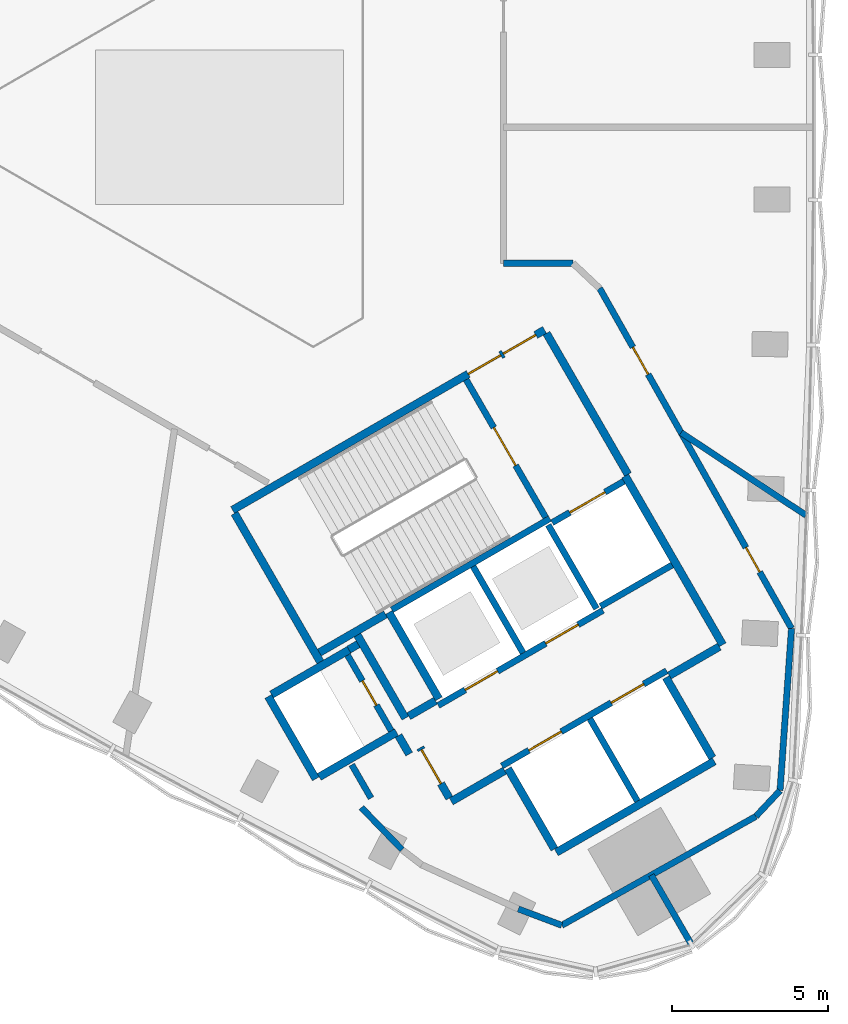
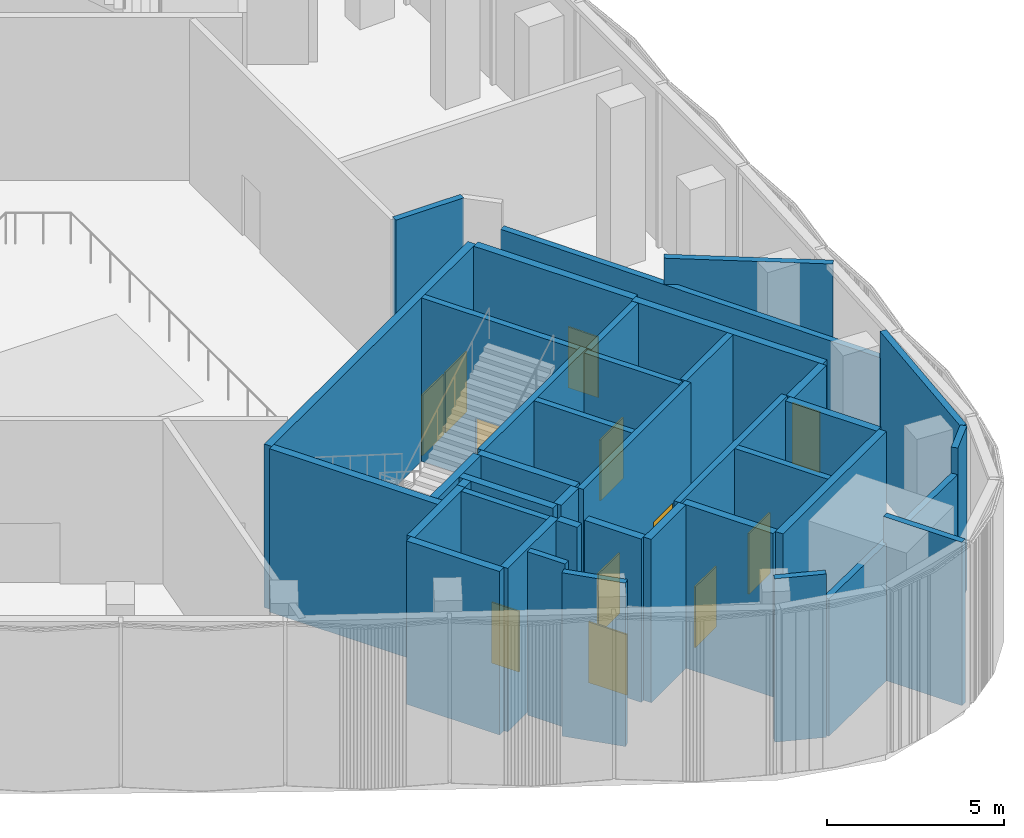
# One storey, part 6 of 14: 39 walls, 12 doors, 12 openings.
"""IFC4 building model written with IfcOpenShell, lengths in metres."""

from ifc_helpers import new_model, si_unit, direction, frame, frame_2d, origin, place, context, subcontext, project, spatial, rectangle, extrude, material, layer, layer_set, type_object, element, fill, save


model = new_model("IFC4")

# Units and contexts
model_context = context("Model", 3, precision=1e-05, world=origin(), true_north=direction((0.0, 1.0)))
body_context = subcontext(model_context, "Body", "Model", "MODEL_VIEW")
ifc_project = project(units=[si_unit("LENGTHUNIT", "METRE"), si_unit("AREAUNIT", "SQUARE_METRE"), si_unit("VOLUMEUNIT", "CUBIC_METRE"), si_unit("PLANEANGLEUNIT", "RADIAN"), si_unit("MASSUNIT", "GRAM", prefix="KILO")], contexts=[model_context])

# Site, building, storey
site_placement = place(None, origin())
site = spatial("IfcSite", under=ifc_project, at=site_placement, CompositionType="ELEMENT")
building_placement = place(site_placement, origin())
building = spatial("IfcBuilding", under=site, at=building_placement, Name="Tamra Quay Hotel Tower", CompositionType="ELEMENT")
storey_placement = place(building_placement, frame((0.0, 0.0, 169.60009765625)))
storey = spatial("IfcBuildingStorey", under=building, at=storey_placement, Name="L42", CompositionType="ELEMENT", Elevation=169.60009765625)

# Wall, openings, doors
ifc_material_1 = material(Name="Concrete M70", Category="concrete")
ifc_layer_1 = layer(ifc_material_1, 0.199951171875)
ifc_layer_set_1 = layer_set([ifc_layer_1], Name="Concrete M70 core wall 200")
wall_type_1 = type_object("IfcWallType", Name="Concrete M70 core wall 200", PredefinedType="SHEAR", material=ifc_layer_set_1)
wall_1_placement = place(storey_placement, frame((9.052490234375, -20.479736328125, 0.0), z_axis=(0.0, 0.0, 1.0), x_axis=(0.866030299012, 0.499991521122, 0.0)))
wall_1 = element("IfcWall", 1, at=wall_1_placement, inside=storey, type_object=wall_type_1, Name="CW2", PredefinedType="SHEAR", context=body_context, shape_type="SweptSolid", body=[
    extrude(rectangle(XDim=6.10009765625, YDim=0.199951171875, at=frame_2d((3.050048828125, 0.0))), origin(), (0.0, 0.0, 1.0), 5.64990234375),
])
opening_1_placement = place(wall_1_placement, frame((1.0, 0.0, 0.0)))
opening_1 = element("IfcOpeningElement", 2, at=opening_1_placement, cuts=wall_1, Name="Opening LD", PredefinedType="OPENING", context=body_context, shape_type="SweptSolid", body=[
    extrude(rectangle(XDim=1.199951171875, YDim=2.10009765625, at=frame_2d((0.60009765625, 1.050048828125))), frame((0.0, 0.10986328125, 0.0), z_axis=(0.0, -1.0, 0.0), x_axis=(1.0, 0.0, 0.0)), (0.0, 0.0, 1.0), 0.219970703125),
])
opening_2_placement = place(wall_1_placement, frame((4.05029296875, 0.0, 0.0)))
opening_2 = element("IfcOpeningElement", 3, at=opening_2_placement, cuts=wall_1, Name="Opening LD", PredefinedType="OPENING", context=body_context, shape_type="SweptSolid", body=[
    extrude(rectangle(XDim=1.199951171875, YDim=2.10009765625, at=frame_2d((0.60009765625, 1.050048828125))), frame((0.0, 0.10986328125, 0.0), z_axis=(0.0, -1.0, 0.0), x_axis=(1.0, 0.0, 0.0)), (0.0, 0.0, 1.0), 0.219970703125),
])
ifc_material_2 = material(Name="Landing door LD 1200 double door sliding")
door_type_1 = type_object("IfcDoorType", Name="Landing door LD 1200 double door sliding", OperationType="DOUBLE_DOOR_SLIDING", PredefinedType="DOOR", material=ifc_material_2)
door_1_placement = place(opening_1_placement, origin())
door_1 = element("IfcDoor", 4, at=door_1_placement, inside=storey, type_object=door_type_1, Name="LD", OperationType="DOUBLE_DOOR_SLIDING", OverallHeight=2.10009765625, OverallWidth=1.199951171875, PredefinedType="DOOR", context=body_context, shape_type="SweptSolid", body=[
    extrude(rectangle(XDim=1.199951171875, YDim=2.10009765625, at=frame_2d((0.60009765625, 1.050048828125))), frame((0.0, 0.02490234375, 0.0), z_axis=(0.0, -1.0, 0.0), x_axis=(1.0, 0.0, 0.0)), (0.0, 0.0, 1.0), 0.050048828125),
])
fill(opening_1, door_1)
door_2_placement = place(opening_2_placement, origin())
door_2 = element("IfcDoor", 5, at=door_2_placement, inside=storey, type_object=door_type_1, Name="LD", OperationType="DOUBLE_DOOR_SLIDING", OverallHeight=2.10009765625, OverallWidth=1.199951171875, PredefinedType="DOOR", context=body_context, shape_type="SweptSolid", body=[
    extrude(rectangle(XDim=1.199951171875, YDim=2.10009765625, at=frame_2d((0.60009765625, 1.050048828125))), frame((0.0, 0.02490234375, 0.0), z_axis=(0.0, -1.0, 0.0), x_axis=(1.0, 0.0, 0.0)), (0.0, 0.0, 1.0), 0.050048828125),
])
fill(opening_2, door_2)

# Wall
wall_2_placement = place(storey_placement, frame((5.525634765625, -15.47216796875, 0.0), z_axis=(0.0, 0.0, 1.0), x_axis=(0.866041752167, 0.499971682701, 0.0)))
element("IfcWall", 6, at=wall_2_placement, inside=storey, type_object=wall_type_1, Name="CW2", PredefinedType="SHEAR", context=body_context, shape_type="SweptSolid", body=[
    extrude(rectangle(XDim=5.850830078125, YDim=0.199951171875, at=frame_2d((2.92529296875, 0.0))), origin(), (0.0, 0.0, 1.0), 5.64990234375),
])

# Wall, openings, doors
wall_3_placement = place(storey_placement, frame((12.292724609375, -15.491455078125, 0.0), z_axis=(0.0, 0.0, 1.0), x_axis=(-0.866030299012, -0.499991521122, 0.0)))
wall_3 = element("IfcWall", 7, at=wall_3_placement, inside=storey, type_object=wall_type_1, Name="CW2", PredefinedType="SHEAR", context=body_context, shape_type="SweptSolid", body=[
    extrude(rectangle(XDim=6.10009765625, YDim=0.199951171875, at=frame_2d((3.050048828125, 0.0))), origin(), (0.0, 0.0, 1.0), 5.64990234375),
])
opening_3_placement = place(wall_3_placement, frame((3.900146484375, 0.0, 0.0)))
opening_3 = element("IfcOpeningElement", 8, at=opening_3_placement, cuts=wall_3, Name="Opening LD", PredefinedType="OPENING", context=body_context, shape_type="SweptSolid", body=[
    extrude(rectangle(XDim=1.199951171875, YDim=2.10009765625, at=frame_2d((0.60009765625, 1.050048828125))), frame((0.0, 0.10986328125, 0.0), z_axis=(0.0, -1.0, 0.0), x_axis=(1.0, 0.0, 0.0)), (0.0, 0.0, 1.0), 0.219970703125),
])
opening_4_placement = place(wall_3_placement, frame((0.918212890625, 0.0, 0.0)))
opening_4 = element("IfcOpeningElement", 9, at=opening_4_placement, cuts=wall_3, Name="Opening LD", PredefinedType="OPENING", context=body_context, shape_type="SweptSolid", body=[
    extrude(rectangle(XDim=1.199951171875, YDim=2.10009765625, at=frame_2d((0.60009765625, 1.050048828125))), frame((0.0, 0.10986328125, 0.0), z_axis=(0.0, -1.0, 0.0), x_axis=(1.0, 0.0, 0.0)), (0.0, 0.0, 1.0), 0.219970703125),
])
door_3_placement = place(opening_3_placement, origin())
door_3 = element("IfcDoor", 10, at=door_3_placement, inside=storey, type_object=door_type_1, Name="LD", OperationType="DOUBLE_DOOR_SLIDING", OverallHeight=2.10009765625, OverallWidth=1.199951171875, PredefinedType="DOOR", context=body_context, shape_type="SweptSolid", body=[
    extrude(rectangle(XDim=1.199951171875, YDim=2.10009765625, at=frame_2d((0.60009765625, 1.050048828125))), frame((0.0, 0.02490234375, 0.0), z_axis=(0.0, -1.0, 0.0), x_axis=(1.0, 0.0, 0.0)), (0.0, 0.0, 1.0), 0.050048828125),
])
fill(opening_3, door_3)
door_4_placement = place(opening_4_placement, origin())
door_4 = element("IfcDoor", 11, at=door_4_placement, inside=storey, type_object=door_type_1, Name="LD", OperationType="DOUBLE_DOOR_SLIDING", OverallHeight=2.10009765625, OverallWidth=1.199951171875, PredefinedType="DOOR", context=body_context, shape_type="SweptSolid", body=[
    extrude(rectangle(XDim=1.199951171875, YDim=2.10009765625, at=frame_2d((0.60009765625, 1.050048828125))), frame((0.0, 0.02490234375, 0.0), z_axis=(0.0, -1.0, 0.0), x_axis=(1.0, 0.0, 0.0)), (0.0, 0.0, 1.0), 0.050048828125),
])
fill(opening_4, door_4)

# Wall, opening, door
wall_4_placement = place(storey_placement, frame((7.906494140625, -8.094482421875, 0.0), z_axis=(0.0, 0.0, 1.0), x_axis=(0.500027839223, -0.866009330205, 0.0)))
wall_4 = element("IfcWall", 12, at=wall_4_placement, inside=storey, type_object=wall_type_1, Name="CW2", PredefinedType="SHEAR", context=body_context, shape_type="SweptSolid", body=[
    extrude(rectangle(XDim=5.097900390625, YDim=0.199951171875, at=frame_2d((2.548828125, 0.0))), origin(), (0.0, 0.0, 1.0), 5.64990234375),
])
opening_5_placement = place(wall_4_placement, frame((1.77392578125, 0.0, 0.0)))
opening_5 = element("IfcOpeningElement", 13, at=opening_5_placement, cuts=wall_4, Name="Opening FD2", PredefinedType="OPENING", context=body_context, shape_type="SweptSolid", body=[
    extrude(rectangle(XDim=1.39990234375, YDim=2.10009765625, at=frame_2d((0.699951171875, 1.050048828125))), frame((0.0, 0.10986328125, 0.0), z_axis=(0.0, -1.0, 0.0), x_axis=(1.0, 0.0, 0.0)), (0.0, 0.0, 1.0), 0.219970703125),
])
ifc_material_3 = material(Name="Core door FD2 1400x2100 RH")
door_type_2 = type_object("IfcDoorType", Name="Core door FD2 1400x2100 RH", OperationType="NOTDEFINED", PredefinedType="DOOR", material=ifc_material_3)
door_5_placement = place(opening_5_placement, origin())
door_5 = element("IfcDoor", 14, at=door_5_placement, inside=storey, type_object=door_type_2, Name="FD2", OperationType="SINGLE_SWING_RIGHT", OverallHeight=2.10009765625, OverallWidth=1.39990234375, PredefinedType="DOOR", context=body_context, shape_type="SweptSolid", body=[
    extrude(rectangle(XDim=1.39990234375, YDim=2.10009765625, at=frame_2d((0.699951171875, 1.050048828125))), frame((0.0, 0.02490234375, 0.0), z_axis=(0.0, -1.0, 0.0), x_axis=(1.0, 0.0, 0.0)), (0.0, 0.0, 1.0), 0.050048828125),
])
fill(opening_5, door_5)

# Walls
wall_5_placement = place(storey_placement, frame((8.131591796875, -14.084228515625, 0.0), z_axis=(0.0, 0.0, 1.0), x_axis=(0.499997778408, -0.866026686418, 0.0)))
element("IfcWall", 15, at=wall_5_placement, inside=storey, type_object=wall_type_1, Name="CW2", PredefinedType="SHEAR", context=body_context, shape_type="SweptSolid", body=[
    extrude(rectangle(XDim=3.1982421875, YDim=0.199951171875, at=frame_2d((1.59912109375, 0.0))), origin(), (0.0, 0.0, 1.0), 5.64990234375),
])
wall_6_placement = place(storey_placement, frame((11.87451171875, -18.967041015625, 0.0), z_axis=(0.0, 0.0, 1.0), x_axis=(0.49998131003, -0.866036194175, 0.0)))
element("IfcWall", 16, at=wall_6_placement, inside=storey, type_object=wall_type_1, Name="CW2", PredefinedType="SHEAR", context=body_context, shape_type="SweptSolid", body=[
    extrude(rectangle(XDim=3.0478515625, YDim=0.199951171875, at=frame_2d((1.52392578125, 0.0))), origin(), (0.0, 0.0, 1.0), 5.64990234375),
])

# Wall, opening, door
wall_7_placement = place(storey_placement, frame((5.50341796875, -19.352294921875, 0.0), z_axis=(0.0, 0.0, 1.0), x_axis=(-0.499986818241, 0.866033014143, 0.0)))
wall_7 = element("IfcWall", 17, at=wall_7_placement, inside=storey, type_object=wall_type_1, Name="CW2", PredefinedType="SHEAR", context=body_context, shape_type="SweptSolid", body=[
    extrude(rectangle(XDim=2.7978515625, YDim=0.199951171875, at=frame_2d((1.39892578125, 0.0))), origin(), (0.0, 0.0, 1.0), 5.64990234375),
])
opening_6_placement = place(wall_7_placement, frame((0.948974609375, 0.0, 0.0)))
opening_6 = element("IfcOpeningElement", 18, at=opening_6_placement, cuts=wall_7, Name="Opening D1", PredefinedType="OPENING", context=body_context, shape_type="SweptSolid", body=[
    extrude(rectangle(XDim=0.89990234375, YDim=2.10009765625, at=frame_2d((0.449951171875, 1.050048828125))), frame((0.0, 0.10986328125, 0.0), z_axis=(0.0, -1.0, 0.0), x_axis=(1.0, 0.0, 0.0)), (0.0, 0.0, 1.0), 0.219970703125),
])
ifc_material_4 = material(Name="Core door D1 900x2100 LH")
door_type_3 = type_object("IfcDoorType", Name="Core door D1 900x2100 LH", OperationType="NOTDEFINED", PredefinedType="DOOR", material=ifc_material_4)
door_6_placement = place(opening_6_placement, origin())
door_6 = element("IfcDoor", 19, at=door_6_placement, inside=storey, type_object=door_type_3, Name="D1", OperationType="SINGLE_SWING_LEFT", OverallHeight=2.10009765625, OverallWidth=0.89990234375, PredefinedType="DOOR", context=body_context, shape_type="SweptSolid", body=[
    extrude(rectangle(XDim=0.89990234375, YDim=2.10009765625, at=frame_2d((0.449951171875, 1.050048828125))), frame((0.0, 0.02490234375, 0.0), z_axis=(0.0, -1.0, 0.0), x_axis=(1.0, 0.0, 0.0)), (0.0, 0.0, 1.0), 0.050048828125),
])
fill(opening_6, door_6)

# Wall
wall_8_placement = place(storey_placement, frame((12.087646484375, -15.4365234375, 0.0), z_axis=(0.0, 0.0, 1.0), x_axis=(-0.500026960575, 0.86600983753, 0.0)))
element("IfcWall", 20, at=wall_8_placement, inside=storey, type_object=wall_type_1, Name="CW2", PredefinedType="SHEAR", context=body_context, shape_type="SweptSolid", body=[
    extrude(rectangle(XDim=3.099853515625, YDim=0.199951171875, at=frame_2d((1.5498046875, 0.0))), origin(), (0.0, 0.0, 1.0), 5.64990234375),
])

# Wall, opening, door
wall_9_placement = place(storey_placement, frame((10.666015625, -12.677734375, 0.0), z_axis=(0.0, 0.0, 1.0), x_axis=(0.866018407898, 0.500012117035, 0.0)))
wall_9 = element("IfcWall", 21, at=wall_9_placement, inside=storey, type_object=wall_type_1, Name="CW2", PredefinedType="SHEAR", context=body_context, shape_type="SweptSolid", body=[
    extrude(rectangle(XDim=2.65087890625, YDim=0.199951171875, at=frame_2d((1.325439453125, 0.0))), origin(), (0.0, 0.0, 1.0), 5.64990234375),
])
opening_7_placement = place(wall_9_placement, frame((0.65185546875, 0.0, 0.0)))
opening_7 = element("IfcOpeningElement", 22, at=opening_7_placement, cuts=wall_9, Name="Opening LD", PredefinedType="OPENING", context=body_context, shape_type="SweptSolid", body=[
    extrude(rectangle(XDim=1.300048828125, YDim=2.10009765625, at=frame_2d((0.64990234375, 1.050048828125))), frame((0.0, 0.10986328125, 0.0), z_axis=(0.0, -1.0, 0.0), x_axis=(1.0, 0.0, 0.0)), (0.0, 0.0, 1.0), 0.219970703125),
])
ifc_material_5 = material(Name="Landing door LD 1300 sliding to right")
door_type_4 = type_object("IfcDoorType", Name="Landing door LD 1300 sliding to right", OperationType="NOTDEFINED", PredefinedType="DOOR", material=ifc_material_5)
door_7_placement = place(opening_7_placement, origin())
door_7 = element("IfcDoor", 23, at=door_7_placement, inside=storey, type_object=door_type_4, Name="LD", OperationType="SLIDING_TO_RIGHT", OverallHeight=2.10009765625, OverallWidth=1.300048828125, PredefinedType="DOOR", context=body_context, shape_type="SweptSolid", body=[
    extrude(rectangle(XDim=1.300048828125, YDim=2.10009765625, at=frame_2d((0.64990234375, 1.050048828125))), frame((0.0, 0.02490234375, 0.0), z_axis=(0.0, -1.0, 0.0), x_axis=(1.0, 0.0, 0.0)), (0.0, 0.0, 1.0), 0.050048828125),
])
fill(opening_7, door_7)

# Wall
wall_10_placement = place(storey_placement, frame((14.51171875, -14.037109375, 0.0), z_axis=(0.0, 0.0, 1.0), x_axis=(-0.866018407898, -0.500012117035, 0.0)))
element("IfcWall", 24, at=wall_10_placement, inside=storey, type_object=wall_type_1, Name="CW2", PredefinedType="SHEAR", context=body_context, shape_type="SweptSolid", body=[
    extrude(rectangle(XDim=2.65087890625, YDim=0.199951171875, at=frame_2d((1.325439453125, 0.0))), origin(), (0.0, 0.0, 1.0), 5.64990234375),
])

# Wall, openings, doors
ifc_layer_2 = layer(ifc_material_1, 0.25)
ifc_layer_set_2 = layer_set([ifc_layer_2], Name="Concrete M70 core wall 250")
wall_type_2 = type_object("IfcWallType", Name="Concrete M70 core wall 250", PredefinedType="SHEAR", material=ifc_layer_set_2)
wall_11_placement = place(storey_placement, frame((0.417236328125, -12.27294921875, 0.0), z_axis=(0.0, 0.0, 1.0), x_axis=(0.866021906294, 0.500006057782, 0.0)))
wall_11 = element("IfcWall", 25, at=wall_11_placement, inside=storey, type_object=wall_type_2, Name="CW1", PredefinedType="SHEAR", context=body_context, shape_type="SweptSolid", body=[
    extrude(rectangle(XDim=11.550048828125, YDim=0.25, at=frame_2d((5.77490234375, 0.0))), origin(), (0.0, 0.0, 1.0), 5.64990234375),
])
opening_8_placement = place(wall_11_placement, frame((10.024658203125, 0.0, 0.0)))
opening_8 = element("IfcOpeningElement", 26, at=opening_8_placement, cuts=wall_11, Name="Opening FD1", PredefinedType="OPENING", context=body_context, shape_type="SweptSolid", body=[
    extrude(rectangle(XDim=1.199951171875, YDim=2.10009765625, at=frame_2d((0.60009765625, 1.050048828125))), frame((0.0, 0.135009765625, 0.0), z_axis=(0.0, -1.0, 0.0), x_axis=(1.0, 0.0, 0.0)), (0.0, 0.0, 1.0), 0.27001953125),
])
opening_9_placement = place(wall_11_placement, frame((8.724609375, 0.0, 0.0)))
opening_9 = element("IfcOpeningElement", 27, at=opening_9_placement, cuts=wall_11, Name="Opening FD1", PredefinedType="OPENING", context=body_context, shape_type="SweptSolid", body=[
    extrude(rectangle(XDim=1.199951171875, YDim=2.10009765625, at=frame_2d((0.60009765625, 1.050048828125))), frame((0.0, 0.135009765625, 0.0), z_axis=(0.0, -1.0, 0.0), x_axis=(1.0, 0.0, 0.0)), (0.0, 0.0, 1.0), 0.27001953125),
])
ifc_material_6 = material(Name="Core door FD1 1200x2100 LH")
door_type_5 = type_object("IfcDoorType", Name="Core door FD1 1200x2100 LH", OperationType="NOTDEFINED", PredefinedType="DOOR", material=ifc_material_6)
door_8_placement = place(opening_8_placement, origin())
door_8 = element("IfcDoor", 28, at=door_8_placement, inside=storey, type_object=door_type_5, Name="FD1", OperationType="SINGLE_SWING_LEFT", OverallHeight=2.10009765625, OverallWidth=1.199951171875, PredefinedType="DOOR", context=body_context, shape_type="SweptSolid", body=[
    extrude(rectangle(XDim=1.199951171875, YDim=2.10009765625, at=frame_2d((0.60009765625, 1.050048828125))), frame((0.0, 0.02490234375, 0.0), z_axis=(0.0, -1.0, 0.0), x_axis=(1.0, 0.0, 0.0)), (0.0, 0.0, 1.0), 0.050048828125),
])
fill(opening_8, door_8)
ifc_material_7 = material(Name="Core door FD1 1200x2100 RH")
door_type_6 = type_object("IfcDoorType", Name="Core door FD1 1200x2100 RH", OperationType="NOTDEFINED", PredefinedType="DOOR", material=ifc_material_7)
door_9_placement = place(opening_9_placement, origin())
door_9 = element("IfcDoor", 29, at=door_9_placement, inside=storey, type_object=door_type_6, Name="FD1", OperationType="SINGLE_SWING_RIGHT", OverallHeight=2.10009765625, OverallWidth=1.199951171875, PredefinedType="DOOR", context=body_context, shape_type="SweptSolid", body=[
    extrude(rectangle(XDim=1.199951171875, YDim=2.10009765625, at=frame_2d((0.60009765625, 1.050048828125))), frame((0.0, 0.02490234375, 0.0), z_axis=(0.0, -1.0, 0.0), x_axis=(1.0, 0.0, 0.0)), (0.0, 0.0, 1.0), 0.050048828125),
])
fill(opening_9, door_9)

# Walls
wall_12_placement = place(storey_placement, frame((13.00830078125, -11.18115234375, 0.0), z_axis=(0.0, 0.0, 1.0), x_axis=(0.500004234368, -0.866022959057, 0.0)))
element("IfcWall", 30, at=wall_12_placement, inside=storey, type_object=wall_type_2, Name="CW1", PredefinedType="SHEAR", context=body_context, shape_type="SweptSolid", body=[
    extrude(rectangle(XDim=6.25, YDim=0.25, at=frame_2d((3.125, 0.0))), origin(), (0.0, 0.0, 1.0), 5.64990234375),
])
wall_13_placement = place(storey_placement, frame((15.86474609375, -20.328369140625, 0.0), z_axis=(0.0, 0.0, 1.0), x_axis=(-0.86602852612, -0.499994591916, 0.0)))
element("IfcWall", 31, at=wall_13_placement, inside=storey, type_object=wall_type_2, Name="CW1", PredefinedType="SHEAR", context=body_context, shape_type="SweptSolid", body=[
    extrude(rectangle(XDim=5.85009765625, YDim=0.25, at=frame_2d((2.925048828125, 0.0))), origin(), (0.0, 0.0, 1.0), 5.64990234375),
])
wall_14_placement = place(storey_placement, frame((3.23486328125, -17.15283203125, 0.0), z_axis=(0.0, 0.0, 1.0), x_axis=(-0.500008851346, 0.866020293397, 0.0)))
element("IfcWall", 32, at=wall_14_placement, inside=storey, type_object=wall_type_2, Name="CW1", PredefinedType="SHEAR", context=body_context, shape_type="SweptSolid", body=[
    extrude(rectangle(XDim=5.509765625, YDim=0.25, at=frame_2d((2.7548828125, 0.0))), origin(), (0.0, 0.0, 1.0), 5.64990234375),
])
wall_15_placement = place(storey_placement, frame((10.482666015625, -6.6064453125, 0.0), z_axis=(0.0, 0.0, 1.0), x_axis=(0.49999885962, -0.866026062182, 0.0)))
element("IfcWall", 33, at=wall_15_placement, inside=storey, type_object=wall_type_2, Name="CW1", PredefinedType="SHEAR", context=body_context, shape_type="SweptSolid", body=[
    extrude(rectangle(XDim=5.224609375, YDim=0.25, at=frame_2d((2.6123046875, 0.0))), origin(), (0.0, 0.0, 1.0), 5.64990234375),
])
wall_16_placement = place(storey_placement, frame((7.030517578125, -18.327392578125, 0.0), z_axis=(0.0, 0.0, 1.0), x_axis=(-0.499971222258, 0.866042017984, 0.0)))
element("IfcWall", 34, at=wall_16_placement, inside=storey, type_object=wall_type_2, Name="CW1", PredefinedType="SHEAR", context=body_context, shape_type="SweptSolid", body=[
    extrude(rectangle(XDim=3.199951171875, YDim=0.25, at=frame_2d((1.60009765625, 0.0))), origin(), (0.0, 0.0, 1.0), 5.64990234375),
])
for number, where, z_axis, x_axis, name in (
    (35, (14.314697265625, -17.643798828125, 0.0), (0.0, 0.0, 1.0), (0.500023226632, -0.866011993467, 0.0), "CW1"),
    (36, (10.73583984375, -23.144775390625, 0.0), (0.0, 0.0, 1.0), (-0.500023226632, 0.866011993467, 0.0), "CW1"),
):
    element("IfcWall", number, at=place(storey_placement, frame(where, z_axis=z_axis, x_axis=x_axis)), inside=storey, type_object=wall_type_2, Name=name, PredefinedType="SHEAR", context=body_context, shape_type="SweptSolid", body=[
        extrude(rectangle(XDim=2.974365234375, YDim=0.25, at=frame_2d((1.4873046875, 0.0))), origin(), (0.0, 0.0, 1.0), 5.64990234375),
    ])
wall_17_placement = place(storey_placement, frame((3.085205078125, -20.893798828125, 0.0), z_axis=(0.0, 0.0, 1.0), x_axis=(-0.499978833458, 0.866037623948, 0.0)))
element("IfcWall", 37, at=wall_17_placement, inside=storey, type_object=wall_type_2, Name="CW1", PredefinedType="SHEAR", context=body_context, shape_type="SweptSolid", body=[
    extrude(rectangle(XDim=3.050048828125, YDim=0.25, at=frame_2d((1.52490234375, 0.0))), origin(), (0.0, 0.0, 1.0), 5.64990234375),
])
wall_18_placement = place(storey_placement, frame((1.6689453125, -18.189697265625, 0.0), z_axis=(0.0, 0.0, 1.0), x_axis=(0.866042235819, 0.499970844928, 0.0)))
element("IfcWall", 38, at=wall_18_placement, inside=storey, type_object=wall_type_2, Name="CW1", PredefinedType="SHEAR", context=body_context, shape_type="SweptSolid", body=[
    extrude(rectangle(XDim=2.864501953125, YDim=0.25, at=frame_2d((1.43212890625, 0.0))), origin(), (0.0, 0.0, 1.0), 5.64990234375),
])
wall_19_placement = place(storey_placement, frame((5.6748046875, -19.39892578125, 0.0), z_axis=(0.0, 0.0, 1.0), x_axis=(-0.866026637627, -0.499997862916, 0.0)))
element("IfcWall", 39, at=wall_19_placement, inside=storey, type_object=wall_type_2, Name="CW1", PredefinedType="SHEAR", context=body_context, shape_type="SweptSolid", body=[
    extrude(rectangle(XDim=2.86474609375, YDim=0.25, at=frame_2d((1.432373046875, 0.0))), origin(), (0.0, 0.0, 1.0), 5.64990234375),
])
wall_20_placement = place(storey_placement, frame((4.414306640625, -16.275634765625, 0.0), z_axis=(0.0, 0.0, 1.0), x_axis=(0.500003324108, -0.866023484601, 0.0)))
element("IfcWall", 40, at=wall_20_placement, inside=storey, type_object=wall_type_2, Name="CW1", PredefinedType="SHEAR", context=body_context, shape_type="SweptSolid", body=[
    extrude(rectangle(XDim=3.0849609375, YDim=0.25, at=frame_2d((1.54248046875, 0.0))), origin(), (0.0, 0.0, 1.0), 5.64990234375),
])
wall_21_placement = place(storey_placement, frame((5.322021484375, -15.618896484375, 0.0), z_axis=(0.0, 0.0, 1.0), x_axis=(-0.866026229868, -0.499998569178, 0.0)))
element("IfcWall", 41, at=wall_21_placement, inside=storey, type_object=wall_type_2, Name="CW1", PredefinedType="SHEAR", context=body_context, shape_type="SweptSolid", body=[
    extrude(rectangle(XDim=2.44921875, YDim=0.25, at=frame_2d((1.224609375, 0.0))), origin(), (0.0, 0.0, 1.0), 5.64990234375),
])
wall_22_placement = place(storey_placement, frame((9.139892578125, -20.63134765625, 0.0), z_axis=(0.0, 0.0, 1.0), x_axis=(-0.866043531843, -0.499968599967, 0.0)))
element("IfcWall", 42, at=wall_22_placement, inside=storey, type_object=wall_type_2, Name="CW1", PredefinedType="SHEAR", context=body_context, shape_type="SweptSolid", body=[
    extrude(rectangle(XDim=1.974853515625, YDim=0.25, at=frame_2d((0.9873046875, 0.0))), origin(), (0.0, 0.0, 1.0), 5.64990234375),
])
wall_23_placement = place(storey_placement, frame((16.024658203125, -16.656494140625, 0.0), z_axis=(0.0, 0.0, 1.0), x_axis=(-0.866016279763, -0.500015802937, 0.0)))
element("IfcWall", 43, at=wall_23_placement, inside=storey, type_object=wall_type_2, Name="CW1", PredefinedType="SHEAR", context=body_context, shape_type="SweptSolid", body=[
    extrude(rectangle(XDim=1.84912109375, YDim=0.25, at=frame_2d((0.924560546875, 0.0))), origin(), (0.0, 0.0, 1.0), 5.64990234375),
])

# Wall, opening, door
wall_24_placement = place(storey_placement, frame((7.3671875, -21.51025390625, 0.0), z_axis=(0.0, 0.0, 1.0), x_axis=(-0.499983108224, 0.866035156036, 0.0)))
wall_24 = element("IfcWall", 44, at=wall_24_placement, inside=storey, type_object=wall_type_2, Name="CW1", PredefinedType="SHEAR", context=body_context, shape_type="SweptSolid", body=[
    extrude(rectangle(XDim=1.86474609375, YDim=0.25, at=frame_2d((0.932373046875, 0.0))), origin(), (0.0, 0.0, 1.0), 5.64990234375),
])
opening_10_placement = place(wall_24_placement, frame((0.53466796875, 0.0, 0.0)))
opening_10 = element("IfcOpeningElement", 45, at=opening_10_placement, cuts=wall_24, Name="Opening FD3", PredefinedType="OPENING", context=body_context, shape_type="SweptSolid", body=[
    extrude(rectangle(XDim=1.25, YDim=2.10009765625, at=frame_2d((0.625, 1.050048828125))), frame((0.0, 0.135009765625, 0.0), z_axis=(0.0, -1.0, 0.0), x_axis=(1.0, 0.0, 0.0)), (0.0, 0.0, 1.0), 0.27001953125),
])
ifc_material_8 = material(Name="Core door FD3 1250x2100 LH")
door_type_7 = type_object("IfcDoorType", Name="Core door FD3 1250x2100 LH", OperationType="NOTDEFINED", PredefinedType="DOOR", material=ifc_material_8)
door_10_placement = place(opening_10_placement, origin())
door_10 = element("IfcDoor", 46, at=door_10_placement, inside=storey, type_object=door_type_7, Name="FD3", OperationType="SINGLE_SWING_LEFT", OverallHeight=2.10009765625, OverallWidth=1.25, PredefinedType="DOOR", context=body_context, shape_type="SweptSolid", body=[
    extrude(rectangle(XDim=1.25, YDim=2.10009765625, at=frame_2d((0.625, 1.050048828125))), frame((0.0, 0.02490234375, 0.0), z_axis=(0.0, -1.0, 0.0), x_axis=(1.0, 0.0, 0.0)), (0.0, 0.0, 1.0), 0.050048828125),
])
fill(opening_10, door_10)

# Walls
wall_25_placement = place(storey_placement, frame((6.0654296875, -18.884765625, 0.0), z_axis=(0.0, 0.0, 1.0), x_axis=(0.866017078145, 0.500014420154, 0.0)))
element("IfcWall", 47, at=wall_25_placement, inside=storey, type_object=wall_type_2, Name="CW1", PredefinedType="SHEAR", context=body_context, shape_type="SweptSolid", body=[
    extrude(rectangle(XDim=0.9892578125, YDim=0.25, at=frame_2d((0.49462890625, 0.0))), origin(), (0.0, 0.0, 1.0), 5.64990234375),
])
wall_26_placement = place(storey_placement, frame((6.07958984375, -20.100341796875, 0.0), z_axis=(0.0, 0.0, 1.0), x_axis=(-0.500051773299, 0.865995510393, 0.0)))
element("IfcWall", 48, at=wall_26_placement, inside=storey, type_object=wall_type_2, Name="CW1", PredefinedType="SHEAR", context=body_context, shape_type="SweptSolid", body=[
    extrude(rectangle(XDim=0.6845703125, YDim=0.25, at=frame_2d((0.34228515625, 0.0))), origin(), (0.0, 0.0, 1.0), 5.64990234375),
])
wall_27_placement = place(storey_placement, frame((4.144775390625, -16.748779296875, 0.0), z_axis=(0.0, 0.0, 1.0), x_axis=(0.866185586049, 0.49972245349, 0.0)))
element("IfcWall", 49, at=wall_27_placement, inside=storey, type_object=wall_type_2, Name="CW1", PredefinedType="SHEAR", context=body_context, shape_type="SweptSolid", body=[
    extrude(rectangle(XDim=0.344482421875, YDim=0.25, at=frame_2d((0.17236328125, 0.0))), origin(), (0.0, 0.0, 1.0), 5.64990234375),
])
ifc_material_9 = material(Name="Partition corridor wall")
ifc_layer_3 = layer(ifc_material_9, 0.199951171875)
ifc_layer_set_3 = layer_set([ifc_layer_3], Name="Partition corridor wall")
wall_type_3 = type_object("IfcWallType", Name="Partition corridor wall", PredefinedType="PARTITIONING", material=ifc_layer_set_3)
wall_28_placement = place(storey_placement, frame((4.23876953125, -20.441650390625, 0.0), z_axis=(0.0, 0.0, 1.0), x_axis=(0.499790804427, -0.866146149221, 0.0)))
element("IfcWall", 50, at=wall_28_placement, inside=storey, type_object=wall_type_3, Name="W-C", PredefinedType="PARTITIONING", context=body_context, shape_type="SweptSolid", body=[
    extrude(rectangle(XDim=1.23681640625, YDim=0.199951171875, at=frame_2d((0.618408203125, 0.0))), origin(), (0.0, 0.0, 1.0), 5.64990234375),
])
wall_29_placement = place(storey_placement, frame((4.548095703125, -21.81494140625, 0.0), z_axis=(0.0, 0.0, 1.0), x_axis=(0.694726619633, -0.71927388662, 0.0)))
element("IfcWall", 51, at=wall_29_placement, inside=storey, type_object=wall_type_3, Name="W-C", PredefinedType="PARTITIONING", context=body_context, shape_type="SweptSolid", body=[
    extrude(rectangle(XDim=1.879638671875, YDim=0.199951171875, at=frame_2d((0.93994140625, 0.0))), origin(), (0.0, 0.0, 1.0), 5.64990234375),
])
wall_30_placement = place(storey_placement, frame((9.110107421875, -4.362060546875, 0.0), z_axis=(0.0, 0.0, 1.0), x_axis=(1.0, 0.0, 0.0)))
element("IfcWall", 52, at=wall_30_placement, inside=storey, type_object=wall_type_3, Name="W-C", PredefinedType="PARTITIONING", context=body_context, shape_type="SweptSolid", body=[
    extrude(rectangle(XDim=2.221923828125, YDim=0.199951171875, at=frame_2d((1.11083984375, 0.0))), origin(), (0.0, 0.0, 1.0), 5.64990234375),
])
wall_31_placement = place(storey_placement, frame((9.58203125, -25.06689453125, 0.0), z_axis=(0.0, 0.0, 1.0), x_axis=(0.935807625893, -0.352511116591, 0.0)))
element("IfcWall", 53, at=wall_31_placement, inside=storey, type_object=wall_type_3, Name="W-C", PredefinedType="PARTITIONING", context=body_context, shape_type="SweptSolid", body=[
    extrude(rectangle(XDim=1.484130859375, YDim=0.199951171875, at=frame_2d((0.7421875, 0.0))), origin(), (0.0, 0.0, 1.0), 5.64990234375),
])
wall_32_placement = place(storey_placement, frame((10.97412109375, -25.590087890625, 0.0), z_axis=(0.0, 0.0, 1.0), x_axis=(0.872017342382, 0.489474978508, 0.0)))
element("IfcWall", 54, at=wall_32_placement, inside=storey, type_object=wall_type_3, Name="W-C", PredefinedType="PARTITIONING", context=body_context, shape_type="SweptSolid", body=[
    extrude(rectangle(XDim=7.136962890625, YDim=0.199951171875, at=frame_2d((3.568359375, 0.0))), origin(), (0.0, 0.0, 1.0), 4.75),
])

# Wall, openings, doors
wall_33_placement = place(storey_placement, frame((12.187255859375, -5.163818359375, 0.0), z_axis=(0.0, 0.0, 1.0), x_axis=(0.491323462206, -0.870977184251, 0.0)))
wall_33 = element("IfcWall", 55, at=wall_33_placement, inside=storey, type_object=wall_type_3, Name="W-C", PredefinedType="PARTITIONING", context=body_context, shape_type="SweptSolid", body=[
    extrude(rectangle(XDim=12.52294921875, YDim=0.199951171875, at=frame_2d((6.261474609375, 0.0))), origin(), (0.0, 0.0, 1.0), 4.75),
])
opening_11_placement = place(wall_33_placement, frame((9.546142578125, 0.0, 0.0)))
opening_11 = element("IfcOpeningElement", 56, at=opening_11_placement, cuts=wall_33, Name="Opening L42-D011", PredefinedType="OPENING", context=body_context, shape_type="SweptSolid", body=[
    extrude(rectangle(XDim=0.89990234375, YDim=2.10009765625, at=frame_2d((0.449951171875, 1.050048828125))), frame((0.0, 0.10986328125, 0.0), z_axis=(0.0, -1.0, 0.0), x_axis=(1.0, 0.0, 0.0)), (0.0, 0.0, 1.0), 0.219970703125),
])
opening_12_placement = place(wall_33_placement, frame((2.168212890625, 0.0, 0.0)))
opening_12 = element("IfcOpeningElement", 57, at=opening_12_placement, cuts=wall_33, Name="Opening L42-D012", PredefinedType="OPENING", context=body_context, shape_type="SweptSolid", body=[
    extrude(rectangle(XDim=1.0, YDim=2.10009765625, at=frame_2d((0.5, 1.050048828125))), frame((0.0, 0.10986328125, 0.0), z_axis=(0.0, -1.0, 0.0), x_axis=(1.0, 0.0, 0.0)), (0.0, 0.0, 1.0), 0.219970703125),
])
ifc_material_10 = material(Name="Door guest room 1000x2100")
door_type_8 = type_object("IfcDoorType", Name="Door guest room 1000x2100", OperationType="NOTDEFINED", PredefinedType="DOOR", material=ifc_material_10)
door_11_placement = place(opening_12_placement, origin())
door_11 = element("IfcDoor", 58, at=door_11_placement, inside=storey, type_object=door_type_8, Name="L42-D012", OperationType="SINGLE_SWING_LEFT", OverallHeight=2.10009765625, OverallWidth=1.0, PredefinedType="DOOR", context=body_context, shape_type="SweptSolid", body=[
    extrude(rectangle(XDim=1.0, YDim=2.10009765625, at=frame_2d((0.5, 1.050048828125))), frame((0.0, 0.02490234375, 0.0), z_axis=(0.0, -1.0, 0.0), x_axis=(1.0, 0.0, 0.0)), (0.0, 0.0, 1.0), 0.050048828125),
])
fill(opening_12, door_11)
ifc_material_11 = material(Name="Door service room 900x2100")
door_type_9 = type_object("IfcDoorType", Name="Door service room 900x2100", OperationType="NOTDEFINED", PredefinedType="DOOR", material=ifc_material_11)
door_12_placement = place(opening_11_placement, frame((0.89990234375, 0.0, 0.0), z_axis=(0.0, 0.0, 1.0), x_axis=(-1.0, 0.0, 0.0)))
door_12 = element("IfcDoor", 59, at=door_12_placement, inside=storey, type_object=door_type_9, Name="L42-D011", OperationType="SINGLE_SWING_LEFT", OverallHeight=2.10009765625, OverallWidth=0.89990234375, PredefinedType="DOOR", context=body_context, shape_type="SweptSolid", body=[
    extrude(rectangle(XDim=0.89990234375, YDim=2.10009765625, at=frame_2d((0.449951171875, 1.050048828125))), frame((0.0, 0.02490234375, 0.0), z_axis=(0.0, -1.0, 0.0), x_axis=(1.0, 0.0, 0.0)), (0.0, 0.0, 1.0), 0.050048828125),
])
fill(opening_11, door_12)

# Walls
wall_34_placement = place(storey_placement, frame((17.200927734375, -22.092041015625, 0.0), z_axis=(0.0, 0.0, 1.0), x_axis=(0.684078196325, 0.729408679214, 0.0)))
element("IfcWall", 60, at=wall_34_placement, inside=storey, type_object=wall_type_3, Name="W-C", PredefinedType="PARTITIONING", context=body_context, shape_type="SweptSolid", body=[
    extrude(rectangle(XDim=1.125732421875, YDim=0.199951171875, at=frame_2d((0.56298828125, 0.0))), origin(), (0.0, 0.0, 1.0), 5.64990234375),
])
wall_35_placement = place(storey_placement, frame((17.970947265625, -21.27001953125, 0.0), z_axis=(0.0, 0.0, 1.0), x_axis=(0.070824281614, 0.997488807523, 0.0)))
element("IfcWall", 61, at=wall_35_placement, inside=storey, type_object=wall_type_3, Name="W-C", PredefinedType="PARTITIONING", context=body_context, shape_type="SweptSolid", body=[
    extrude(rectangle(XDim=5.212158203125, YDim=0.199951171875, at=frame_2d((2.60595703125, 0.0))), origin(), (0.0, 0.0, 1.0), 5.64990234375),
])
ifc_material_12 = material(Name="Partition party wall")
ifc_layer_4 = layer(ifc_material_12, 0.199951171875)
ifc_layer_set_4 = layer_set([ifc_layer_4], Name="Partition party wall")
wall_type_4 = type_object("IfcWallType", Name="Partition party wall", PredefinedType="PARTITIONING", material=ifc_layer_set_4)
wall_36_placement = place(storey_placement, frame((13.844970703125, -23.97998046875, 0.0), z_axis=(0.0, 0.0, 1.0), x_axis=(0.499958721521, -0.866049234614, 0.0)))
element("IfcWall", 62, at=wall_36_placement, inside=storey, type_object=wall_type_4, Name="W-P", PredefinedType="PARTITIONING", context=body_context, shape_type="SweptSolid", body=[
    extrude(rectangle(XDim=2.564208984375, YDim=0.199951171875, at=frame_2d((1.2822265625, 0.0))), origin(), (0.0, 0.0, 1.0), 5.64990234375),
])
wall_37_placement = place(storey_placement, frame((14.800048828125, -9.79296875, 0.0), z_axis=(0.0, 0.0, 1.0), x_axis=(0.834078048978, -0.551646452189, 0.0)))
element("IfcWall", 63, at=wall_37_placement, inside=storey, type_object=wall_type_4, Name="W-P", PredefinedType="PARTITIONING", context=body_context, shape_type="SweptSolid", body=[
    extrude(rectangle(XDim=4.802734375, YDim=0.199951171875, at=frame_2d((2.4013671875, 0.0))), origin(), (0.0, 0.0, 1.0), 5.64990234375),
])

save(model, "model.ifc")
